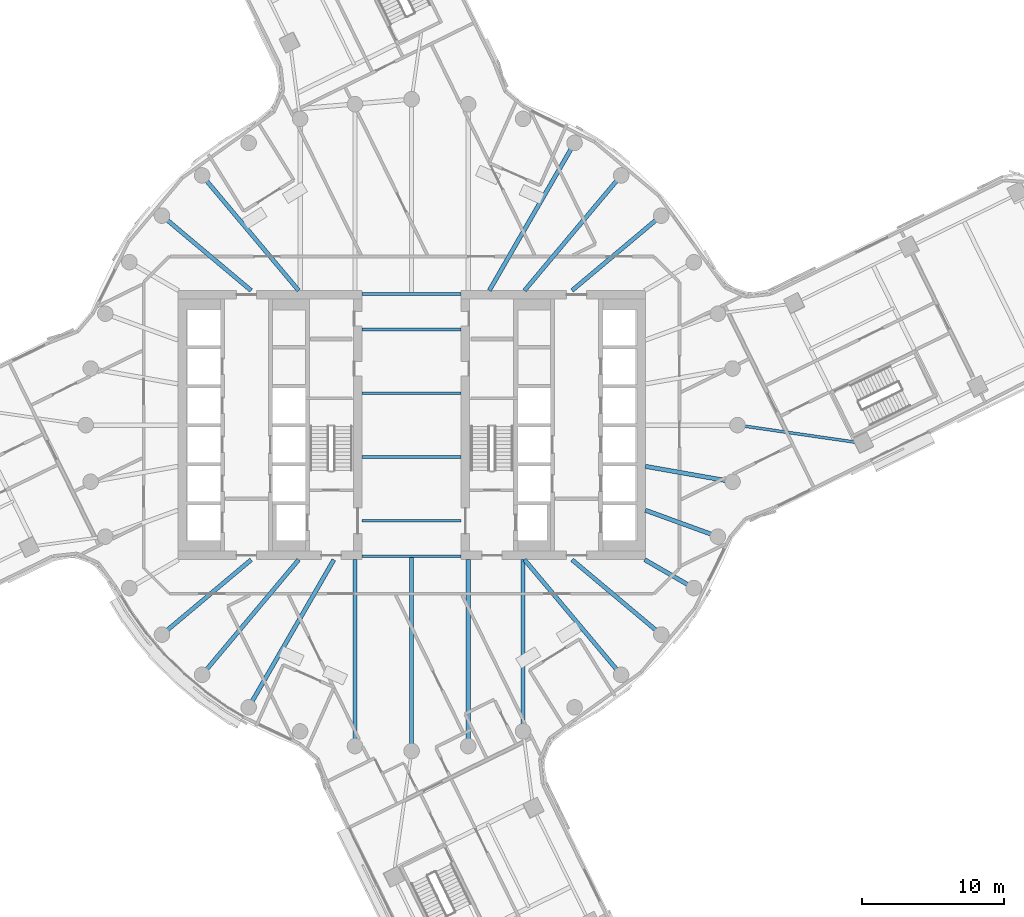
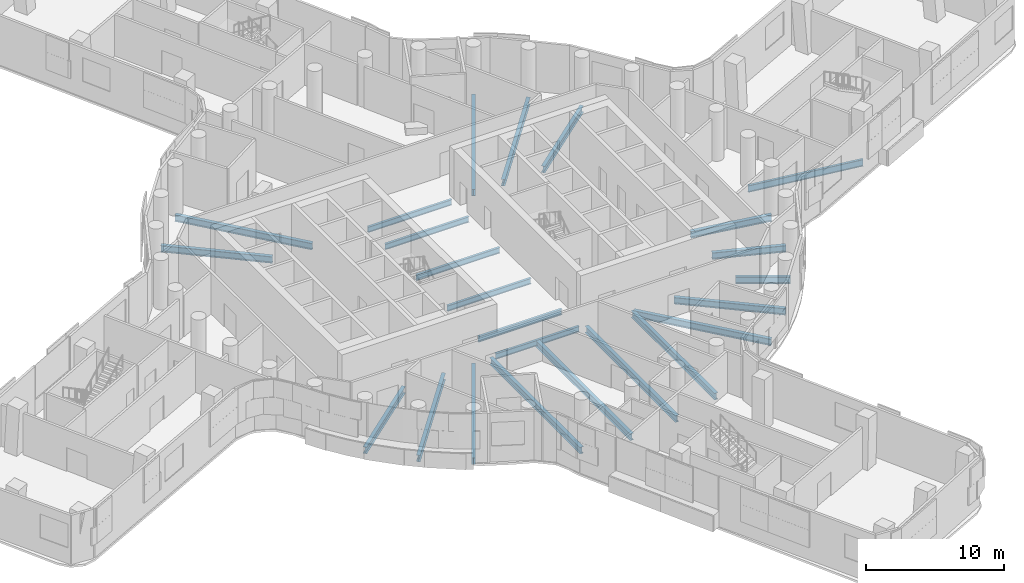
# One storey, part 6 of 23: 24 beams.
"""IFC4 building model written with IfcOpenShell, lengths in metres."""

from ifc_helpers import new_model, si_unit, direction, frame, origin, origin_2d, place, context, subcontext, project, spatial, i_section, extrude, material, material_profile, profile_set, type_object, element, save


model = new_model("IFC4")

# Units and contexts
model_context = context("Model", 3, precision=1e-05, world=origin(), true_north=direction((0.0, 1.0)))
body_context = subcontext(model_context, "Body", "Model", "MODEL_VIEW")
ifc_project = project(units=[si_unit("LENGTHUNIT", "METRE"), si_unit("AREAUNIT", "SQUARE_METRE"), si_unit("VOLUMEUNIT", "CUBIC_METRE"), si_unit("PLANEANGLEUNIT", "RADIAN"), si_unit("MASSUNIT", "GRAM", prefix="KILO")], contexts=[model_context])

# Site, building, storey
site_placement = place(None, origin())
site = spatial("IfcSite", under=ifc_project, at=site_placement, CompositionType="ELEMENT")
building_placement = place(site_placement, origin())
building = spatial("IfcBuilding", under=site, at=building_placement, Name="Tamarind Cross Interchange Tower", CompositionType="ELEMENT")
storey_placement = place(building_placement, frame((0.0, 0.0, 128.5)))
storey = spatial("IfcBuildingStorey", under=building, at=storey_placement, Name="L31", CompositionType="ELEMENT", Elevation=128.5)

# Beams
ifc_material = material(Name="Steel Q355B", Category="steel")
ifc_material_profile_1 = material_profile(ifc_material, i_section(OverallWidth=0.300048828125, OverallDepth=0.58203125, WebThickness=0.011962890625, FlangeThickness=0.01708984375, FilletRadius=0.01806640625, at=origin_2d()), Name="HM 582x300x12x17")
ifc_profile_set_1 = profile_set([ifc_material_profile_1], Name="Steel Q355B")
beam_type_1 = type_object("IfcBeamType", Name="Composite beam HM 582x300x12x17 Q355B", PredefinedType="BEAM", material=ifc_profile_set_1)
beam_1_placement = place(storey_placement, frame((17.619140625, 14.7841796875, -0.470947265625), z_axis=(-0.766040580814, -0.642792212574, 0.0), x_axis=(0.642792212574, -0.766040580814, 0.0)))
element("IfcBeam", 1, at=beam_1_placement, inside=storey, type_object=beam_type_1, Name="Beam HH04", PredefinedType="BEAM", context=body_context, shape_type="SweptSolid", body=[
    extrude(i_section(OverallWidth=0.300048828125, OverallDepth=0.58203125, WebThickness=0.011962890625, FlangeThickness=0.01708984375, FilletRadius=0.01806640625, at=origin_2d()), origin(), (0.0, 0.0, 1.0), 8.220703125),
])
beam_2_placement = place(storey_placement, frame((14.7841796875, 17.619140625, -0.470947265625), z_axis=(-0.642786293979, -0.766045547127, 0.0), x_axis=(0.766045547127, -0.642786293979, 0.0)))
element("IfcBeam", 2, at=beam_2_placement, inside=storey, type_object=beam_type_1, Name="Beam HH05", PredefinedType="BEAM", context=body_context, shape_type="SweptSolid", body=[
    extrude(i_section(OverallWidth=0.300048828125, OverallDepth=0.58203125, WebThickness=0.011962890625, FlangeThickness=0.01708984375, FilletRadius=0.01806640625, at=origin_2d()), origin(), (0.0, 0.0, 1.0), 10.598876953125),
])
beam_3_placement = place(storey_placement, frame((11.5, 19.918701171875, -0.470947265625), z_axis=(-0.499993565836, -0.866029118519, 0.0), x_axis=(0.866029118519, -0.499993565836, 0.0)))
element("IfcBeam", 3, at=beam_3_placement, inside=storey, type_object=beam_type_1, Name="Beam HH06", PredefinedType="BEAM", context=body_context, shape_type="SweptSolid", body=[
    extrude(i_section(OverallWidth=0.300048828125, OverallDepth=0.58203125, WebThickness=0.011962890625, FlangeThickness=0.01708984375, FilletRadius=0.01806640625, at=origin_2d()), origin(), (0.0, 0.0, 1.0), 12.030517578125),
])
beam_4_placement = place(storey_placement, frame((-14.7841796875, 17.619140625, -0.470947265625), z_axis=(0.642786293979, -0.766045547127, 0.0), x_axis=(0.766045547127, 0.642786293979, 0.0)))
element("IfcBeam", 4, at=beam_4_placement, inside=storey, type_object=beam_type_1, Name="Beam HH13", PredefinedType="BEAM", context=body_context, shape_type="SweptSolid", body=[
    extrude(i_section(OverallWidth=0.300048828125, OverallDepth=0.58203125, WebThickness=0.011962890625, FlangeThickness=0.01708984375, FilletRadius=0.01806640625, at=origin_2d()), origin(), (0.0, 0.0, 1.0), 10.598876953125),
])
for number, where, z_axis, x_axis, name in (
    (5, (-17.619140625, 14.7841796875, -0.470947265625), (0.766040580814, -0.642792212574, 0.0), (0.642792212574, 0.766040580814, 0.0), "Beam HH14"),
    (6, (-17.619140625, -14.7841796875, -0.470947265625), (0.766040580814, 0.642792212574, 0.0), (-0.642792212574, 0.766040580814, 0.0), "Beam HH22"),
):
    element("IfcBeam", number, at=place(storey_placement, frame(where, z_axis=z_axis, x_axis=x_axis)), inside=storey, type_object=beam_type_1, Name=name, PredefinedType="BEAM", context=body_context, shape_type="SweptSolid", body=[
        extrude(i_section(OverallWidth=0.300048828125, OverallDepth=0.58203125, WebThickness=0.011962890625, FlangeThickness=0.01708984375, FilletRadius=0.01806640625, at=origin_2d()), origin(), (0.0, 0.0, 1.0), 8.220703125),
    ])
beam_5_placement = place(storey_placement, frame((-14.7841796875, -17.619140625, -0.470947265625), z_axis=(0.642786293979, 0.766045547127, 0.0), x_axis=(-0.766045547127, 0.642786293979, 0.0)))
element("IfcBeam", 7, at=beam_5_placement, inside=storey, type_object=beam_type_1, Name="Beam HH23", PredefinedType="BEAM", context=body_context, shape_type="SweptSolid", body=[
    extrude(i_section(OverallWidth=0.300048828125, OverallDepth=0.58203125, WebThickness=0.011962890625, FlangeThickness=0.01708984375, FilletRadius=0.01806640625, at=origin_2d()), origin(), (0.0, 0.0, 1.0), 10.598876953125),
])
beam_6_placement = place(storey_placement, frame((-11.5, -19.918701171875, -0.470947265625), z_axis=(0.499993565836, 0.866029118519, 0.0), x_axis=(-0.866029118519, 0.499993565836, 0.0)))
element("IfcBeam", 8, at=beam_6_placement, inside=storey, type_object=beam_type_1, Name="Beam HH24", PredefinedType="BEAM", context=body_context, shape_type="SweptSolid", body=[
    extrude(i_section(OverallWidth=0.300048828125, OverallDepth=0.58203125, WebThickness=0.011962890625, FlangeThickness=0.01708984375, FilletRadius=0.01806640625, at=origin_2d()), origin(), (0.0, 0.0, 1.0), 12.030517578125),
])
beam_7_placement = place(storey_placement, frame((-3.993896484375, -22.650634765625, -0.470947265625), z_axis=(0.0, 1.0, 0.0), x_axis=(-1.0, 0.0, 0.0)))
element("IfcBeam", 9, at=beam_7_placement, inside=storey, type_object=beam_type_1, Name="Beam HH26", PredefinedType="BEAM", context=body_context, shape_type="SweptSolid", body=[
    extrude(i_section(OverallWidth=0.300048828125, OverallDepth=0.58203125, WebThickness=0.011962890625, FlangeThickness=0.01708984375, FilletRadius=0.01806640625, at=origin_2d()), origin(), (0.0, 0.0, 1.0), 13.150634765625),
])
beam_8_placement = place(storey_placement, frame((0.0, -23.0, -0.470947265625), z_axis=(0.0, 1.0, 0.0), x_axis=(-1.0, 0.0, 0.0)))
element("IfcBeam", 10, at=beam_8_placement, inside=storey, type_object=beam_type_1, Name="Beam HH27", PredefinedType="BEAM", context=body_context, shape_type="SweptSolid", body=[
    extrude(i_section(OverallWidth=0.300048828125, OverallDepth=0.58203125, WebThickness=0.011962890625, FlangeThickness=0.01708984375, FilletRadius=0.01806640625, at=origin_2d()), origin(), (0.0, 0.0, 1.0), 13.75),
])
beam_9_placement = place(storey_placement, frame((3.993896484375, -22.650634765625, -0.470947265625), z_axis=(0.0, 1.0, 0.0), x_axis=(-1.0, 0.0, 0.0)))
element("IfcBeam", 11, at=beam_9_placement, inside=storey, type_object=beam_type_1, Name="Beam HH28", PredefinedType="BEAM", context=body_context, shape_type="SweptSolid", body=[
    extrude(i_section(OverallWidth=0.300048828125, OverallDepth=0.58203125, WebThickness=0.011962890625, FlangeThickness=0.01708984375, FilletRadius=0.01806640625, at=origin_2d()), origin(), (0.0, 0.0, 1.0), 13.150634765625),
])
beam_10_placement = place(storey_placement, frame((7.866455078125, -21.613037109375, -0.470947265625), z_axis=(0.0, 1.0, 0.0), x_axis=(-1.0, 0.0, 0.0)))
element("IfcBeam", 12, at=beam_10_placement, inside=storey, type_object=beam_type_1, Name="Beam HH29", PredefinedType="BEAM", context=body_context, shape_type="SweptSolid", body=[
    extrude(i_section(OverallWidth=0.300048828125, OverallDepth=0.58203125, WebThickness=0.011962890625, FlangeThickness=0.01708984375, FilletRadius=0.01806640625, at=origin_2d()), origin(), (0.0, 0.0, 1.0), 12.113037109375),
])
beam_11_placement = place(storey_placement, frame((14.7841796875, -17.619140625, -0.470947265625), z_axis=(-0.642786293979, 0.766045547127, 0.0), x_axis=(-0.766045547127, -0.642786293979, 0.0)))
element("IfcBeam", 13, at=beam_11_placement, inside=storey, type_object=beam_type_1, Name="Beam HH31", PredefinedType="BEAM", context=body_context, shape_type="SweptSolid", body=[
    extrude(i_section(OverallWidth=0.300048828125, OverallDepth=0.58203125, WebThickness=0.011962890625, FlangeThickness=0.01708984375, FilletRadius=0.01806640625, at=origin_2d()), origin(), (0.0, 0.0, 1.0), 10.598876953125),
])
beam_12_placement = place(storey_placement, frame((17.619140625, -14.7841796875, -0.470947265625), z_axis=(-0.766040580814, 0.642792212574, 0.0), x_axis=(-0.642792212574, -0.766040580814, 0.0)))
element("IfcBeam", 14, at=beam_12_placement, inside=storey, type_object=beam_type_1, Name="Beam HH32", PredefinedType="BEAM", context=body_context, shape_type="SweptSolid", body=[
    extrude(i_section(OverallWidth=0.300048828125, OverallDepth=0.58203125, WebThickness=0.011962890625, FlangeThickness=0.01708984375, FilletRadius=0.01806640625, at=origin_2d()), origin(), (0.0, 0.0, 1.0), 8.220703125),
])
beam_13_placement = place(storey_placement, frame((19.918701171875, -11.5, -0.470947265625), z_axis=(-0.866026010844, 0.49999894854, 0.0), x_axis=(-0.49999894854, -0.866026010844, 0.0)))
element("IfcBeam", 15, at=beam_13_placement, inside=storey, type_object=beam_type_1, Name="Beam HH33", PredefinedType="BEAM", context=body_context, shape_type="SweptSolid", body=[
    extrude(i_section(OverallWidth=0.300048828125, OverallDepth=0.58203125, WebThickness=0.011962890625, FlangeThickness=0.01708984375, FilletRadius=0.01806640625, at=origin_2d()), origin(), (0.0, 0.0, 1.0), 4.0),
])
beam_14_placement = place(storey_placement, frame((21.613037109375, -7.866455078125, -0.470947265625), z_axis=(-0.939701685589, 0.341995236956, 0.0), x_axis=(-0.341995236956, -0.939701685589, 0.0)))
element("IfcBeam", 16, at=beam_14_placement, inside=storey, type_object=beam_type_1, Name="Beam HH34", PredefinedType="BEAM", context=body_context, shape_type="SweptSolid", body=[
    extrude(i_section(OverallWidth=0.300048828125, OverallDepth=0.58203125, WebThickness=0.011962890625, FlangeThickness=0.01708984375, FilletRadius=0.01806640625, at=origin_2d()), origin(), (0.0, 0.0, 1.0), 5.441162109375),
])
beam_15_placement = place(storey_placement, frame((22.650634765625, -3.993896484375, -0.470947265625), z_axis=(-0.984809127561, 0.173640382036, 0.0), x_axis=(-0.173640382036, -0.984809127561, 0.0)))
element("IfcBeam", 17, at=beam_15_placement, inside=storey, type_object=beam_type_1, Name="Beam HH35", PredefinedType="BEAM", context=body_context, shape_type="SweptSolid", body=[
    extrude(i_section(OverallWidth=0.300048828125, OverallDepth=0.58203125, WebThickness=0.011962890625, FlangeThickness=0.01708984375, FilletRadius=0.01806640625, at=origin_2d()), origin(), (0.0, 0.0, 1.0), 6.24560546875),
])
ifc_material_profile_2 = material_profile(ifc_material, i_section(OverallWidth=0.198974609375, OverallDepth=0.49609375, WebThickness=0.009033203125, FlangeThickness=0.013916015625, FilletRadius=0.012939453125, at=origin_2d()), Name="HN 496x199x9x14")
ifc_profile_set_2 = profile_set([ifc_material_profile_2], Name="Steel Q355B")
beam_type_2 = type_object("IfcBeamType", Name="Composite beam HN 496x199x9x14 Q355B", PredefinedType="BEAM", material=ifc_profile_set_2)
for number, where, z_axis, x_axis, name in (
    (18, (-3.5, -2.25, -0.427978515625), (1.0, 0.0, 0.0), (0.0, 1.0, 0.0), "Beam G-2.25"),
    (19, (-3.5, -6.75, -0.427978515625), (1.0, 0.0, 0.0), (0.0, 1.0, 0.0), "Beam G-6.75"),
    (20, (-3.5, -9.25, -0.427978515625), (1.0, 0.0, 0.0), (0.0, 1.0, 0.0), "Beam G-9.25"),
    (21, (-3.5, 2.25, -0.427978515625), (1.0, 0.0, 0.0), (0.0, 1.0, 0.0), "Beam G2.25"),
    (22, (-3.5, 6.75, -0.427978515625), (1.0, 0.0, 0.0), (0.0, 1.0, 0.0), "Beam G6.75"),
    (23, (-3.5, 9.25, -0.427978515625), (1.0, 0.0, 0.0), (0.0, 1.0, 0.0), "Beam G9.25"),
):
    element("IfcBeam", number, at=place(storey_placement, frame(where, z_axis=z_axis, x_axis=x_axis)), inside=storey, type_object=beam_type_2, Name=name, PredefinedType="BEAM", context=body_context, shape_type="SweptSolid", body=[
        extrude(i_section(OverallWidth=0.198974609375, OverallDepth=0.49609375, WebThickness=0.009033203125, FlangeThickness=0.013916015625, FilletRadius=0.012939453125, at=origin_2d()), origin(), (0.0, 0.0, 1.0), 7.0),
    ])
ifc_material_profile_3 = material_profile(ifc_material, i_section(OverallWidth=0.199951171875, OverallDepth=0.60009765625, WebThickness=0.010986328125, FlangeThickness=0.01708984375, FilletRadius=0.012939453125, at=origin_2d()), Name="HN 600x200x11x17")
ifc_profile_set_3 = profile_set([ifc_material_profile_3], Name="Steel Q355B")
beam_type_3 = type_object("IfcBeamType", Name="Composite beam HN 600x200x11x17 Q355B", PredefinedType="BEAM", material=ifc_profile_set_3)
beam_16_placement = place(storey_placement, frame((31.873779296875, -1.2841796875, -0.47998046875), z_axis=(-0.989690265802, 0.14322422203, 0.0), x_axis=(-0.14322422203, -0.989690265802, 0.0)))
element("IfcBeam", 24, at=beam_16_placement, inside=storey, type_object=beam_type_3, Name="Beam E-linkem", PredefinedType="BEAM", context=body_context, shape_type="SweptSolid", body=[
    extrude(i_section(OverallWidth=0.199951171875, OverallDepth=0.60009765625, WebThickness=0.010986328125, FlangeThickness=0.01708984375, FilletRadius=0.012939453125, at=origin_2d()), origin(), (0.0, 0.0, 1.0), 8.96630859375),
])

save(model, "model.ifc")
